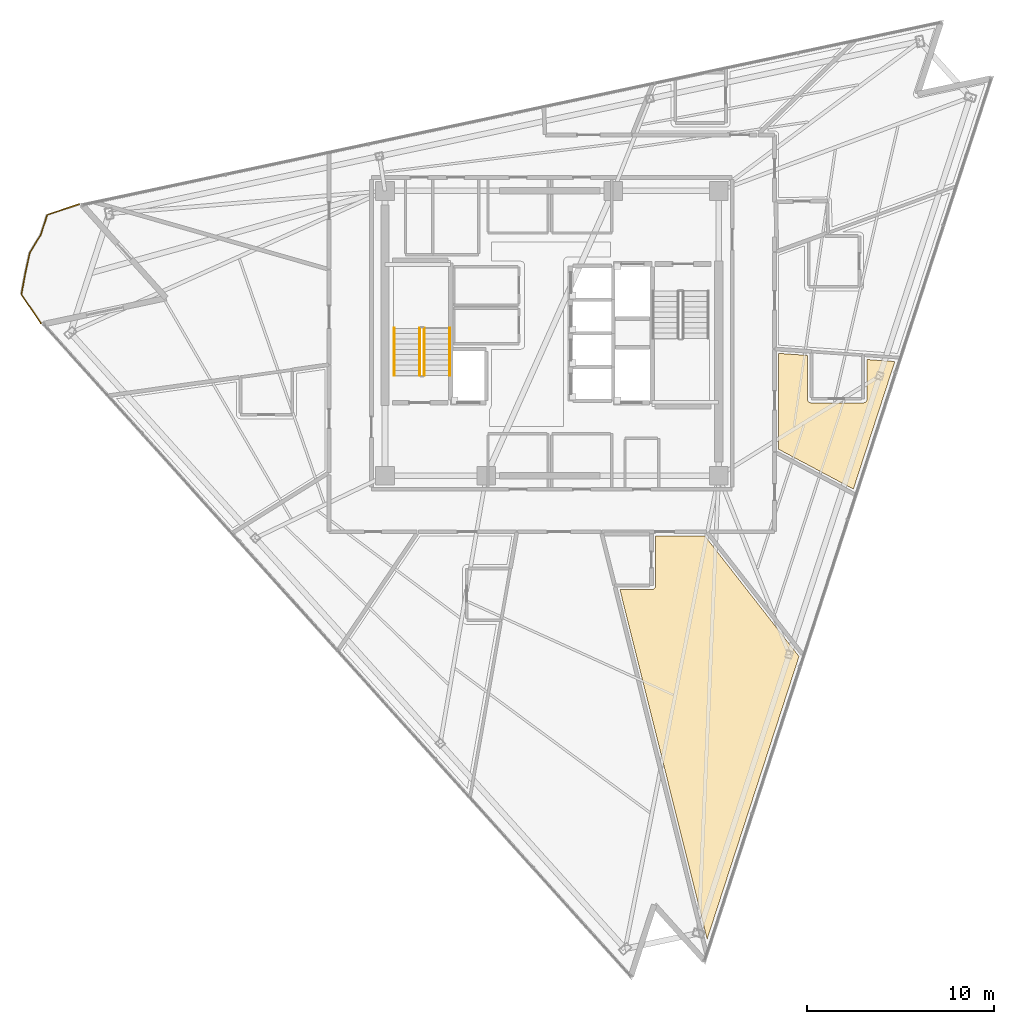
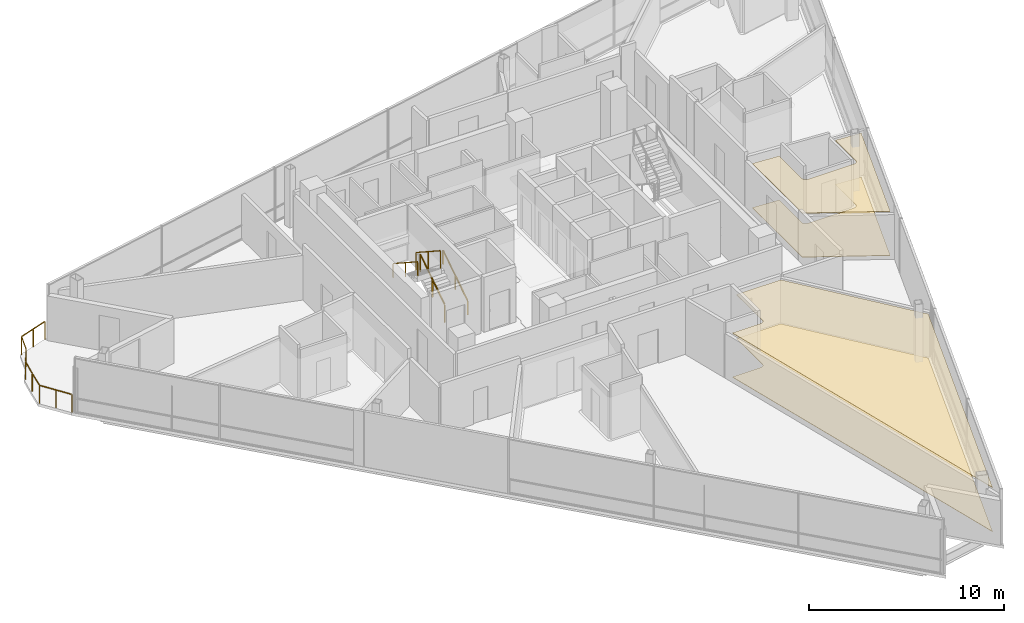
# One storey, part 15 of 17: 5 railings, 4 coverings.
"""IFC4 building model written with IfcOpenShell, lengths in metres."""

from ifc_helpers import new_model, si_unit, direction, frame, origin, origin_2d, place, context, subcontext, project, spatial, polyline, rectangle, outline, extrude, material, layer, layer_set, type_object, element, save


model = new_model("IFC4")

# Units and contexts
model_context = context("Model", 3, precision=1e-05, world=origin(), true_north=direction((0.0, 1.0)))
body_context = subcontext(model_context, "Body", "Model", "MODEL_VIEW")
ifc_project = project(units=[si_unit("LENGTHUNIT", "METRE"), si_unit("AREAUNIT", "SQUARE_METRE"), si_unit("VOLUMEUNIT", "CUBIC_METRE"), si_unit("PLANEANGLEUNIT", "RADIAN"), si_unit("MASSUNIT", "GRAM", prefix="KILO")], contexts=[model_context])

# Site, building, storey
site_placement = place(None, origin())
site = spatial("IfcSite", under=ifc_project, at=site_placement, CompositionType="ELEMENT")
building_placement = place(site_placement, origin())
building = spatial("IfcBuilding", under=site, at=building_placement, Name="Tharavind Bronze Gate", CompositionType="ELEMENT")
storey_placement = place(building_placement, frame((0.0, 0.0, 294.35009765625)))
storey = spatial("IfcBuildingStorey", under=building, at=storey_placement, Name="L76", CompositionType="ELEMENT", Elevation=294.35009765625)

# Coverings
ifc_material_1 = material(Name="Engineered Oak & Carpet Tile", Category="wood")
ifc_layer_1 = layer(ifc_material_1, 0.02490234375)
ifc_layer_set_1 = layer_set([ifc_layer_1], Name="Engineered Oak & Carpet Tile")
covering_type_1 = type_object("IfcCoveringType", Name="ENGINEERED TIMBER FLOORING", PredefinedType="FLOORING", material=ifc_layer_set_1)
covering_1_placement = place(storey_placement, origin())
element("IfcCovering", 1, at=covering_1_placement, inside=storey, type_object=covering_type_1, Name="L76-RM-10 floor finish", PredefinedType="FLOORING", context=body_context, shape_type="SweptSolid", body=[
    extrude(outline(polyline([(5.537841796875, -13.449951171875), (5.536865234375, -13.4716796875), (5.53369140625, -13.492919921875), (5.5283203125, -13.513916015625), (5.52099609375, -13.5341796875), (5.51171875, -13.5537109375), (5.500732421875, -13.572265625), (5.48779296875, -13.589599609375), (5.473388671875, -13.605712890625), (5.45751953125, -13.6201171875), (5.43994140625, -13.6328125), (5.42138671875, -13.64404296875), (5.402099609375, -13.6533203125), (5.381591796875, -13.660400390625), (5.360595703125, -13.665771484375), (5.33935546875, -13.6689453125), (5.31787109375, -13.669921875), (3.635009765625, -13.669921875), (8.283203125, -32.313232421875), (13.18359375, -17.231689453125), (8.15869140625, -10.800048828125), (5.537841796875, -10.800048828125), (5.537841796875, -13.449951171875)])), origin(), (0.0, 0.0, 1.0), 0.02490234375),
])
covering_2_placement = place(storey_placement, origin())
element("IfcCovering", 2, at=covering_2_placement, inside=storey, type_object=covering_type_1, Name="L76-RM-12 floor finish", PredefinedType="FLOORING", context=body_context, shape_type="SweptSolid", body=[
    extrude(outline(polyline([(12.10009765625, -6.1845703125), (16.084716796875, -8.30322265625), (18.29541015625, -1.5), (16.820068359375, -1.396728515625), (16.820068359375, -3.489013671875), (16.81884765625, -3.5107421875), (16.81591796875, -3.531982421875), (16.810546875, -3.552978515625), (16.80322265625, -3.5732421875), (16.7939453125, -3.5927734375), (16.782958984375, -3.611328125), (16.77001953125, -3.628662109375), (16.755615234375, -3.644775390625), (16.739501953125, -3.6591796875), (16.72216796875, -3.672119140625), (16.70361328125, -3.68310546875), (16.68408203125, -3.6923828125), (16.663818359375, -3.69970703125), (16.642822265625, -3.704833984375), (16.62158203125, -3.7080078125), (16.60009765625, -3.708984375), (13.85009765625, -3.708984375), (13.828369140625, -3.7080078125), (13.80712890625, -3.704833984375), (13.7861328125, -3.69970703125), (13.765869140625, -3.6923828125), (13.746337890625, -3.68310546875), (13.727783203125, -3.672119140625), (13.71044921875, -3.6591796875), (13.6943359375, -3.644775390625), (13.679931640625, -3.628662109375), (13.6669921875, -3.611328125), (13.656005859375, -3.5927734375), (13.646728515625, -3.5732421875), (13.639404296875, -3.552978515625), (13.63427734375, -3.531982421875), (13.631103515625, -3.5107421875), (13.6298828125, -3.489013671875), (13.6298828125, -1.173583984375), (12.10009765625, -1.066650390625), (12.10009765625, -6.1845703125)])), origin(), (0.0, 0.0, 1.0), 0.02490234375),
])
ifc_material_2 = material(Name="Acoustic Gypsum Board", Category="gypsum")
ifc_layer_2 = layer(ifc_material_2, 0.030029296875)
ifc_layer_set_2 = layer_set([ifc_layer_2], Name="Acoustic Gypsum Board")
covering_type_2 = type_object("IfcCoveringType", Name="GYPSUM SUSPENDED CEILING", PredefinedType="CEILING", material=ifc_layer_set_2)
covering_3_placement = place(storey_placement, frame((0.0, 0.0, 2.75)))
element("IfcCovering", 3, at=covering_3_placement, inside=storey, type_object=covering_type_2, Name="L76-RM-10 suspended ceiling", PredefinedType="CEILING", context=body_context, shape_type="SweptSolid", body=[
    extrude(outline(polyline([(5.537841796875, -13.449951171875), (5.536865234375, -13.4716796875), (5.53369140625, -13.492919921875), (5.5283203125, -13.513916015625), (5.52099609375, -13.5341796875), (5.51171875, -13.5537109375), (5.500732421875, -13.572265625), (5.48779296875, -13.589599609375), (5.473388671875, -13.605712890625), (5.45751953125, -13.6201171875), (5.43994140625, -13.6328125), (5.42138671875, -13.64404296875), (5.402099609375, -13.6533203125), (5.381591796875, -13.660400390625), (5.360595703125, -13.665771484375), (5.33935546875, -13.6689453125), (5.31787109375, -13.669921875), (3.635009765625, -13.669921875), (8.283203125, -32.313232421875), (13.18359375, -17.231689453125), (8.15869140625, -10.800048828125), (5.537841796875, -10.800048828125), (5.537841796875, -13.449951171875)])), origin(), (0.0, 0.0, 1.0), 0.034912109375),
])
covering_4_placement = place(storey_placement, frame((0.0, 0.0, 2.75)))
element("IfcCovering", 4, at=covering_4_placement, inside=storey, type_object=covering_type_2, Name="L76-RM-12 suspended ceiling", PredefinedType="CEILING", context=body_context, shape_type="SweptSolid", body=[
    extrude(outline(polyline([(12.10009765625, -6.1845703125), (16.084716796875, -8.30322265625), (18.29541015625, -1.5), (16.820068359375, -1.396728515625), (16.820068359375, -3.489013671875), (16.81884765625, -3.5107421875), (16.81591796875, -3.531982421875), (16.810546875, -3.552978515625), (16.80322265625, -3.5732421875), (16.7939453125, -3.5927734375), (16.782958984375, -3.611328125), (16.77001953125, -3.628662109375), (16.755615234375, -3.644775390625), (16.739501953125, -3.6591796875), (16.72216796875, -3.672119140625), (16.70361328125, -3.68310546875), (16.68408203125, -3.6923828125), (16.663818359375, -3.69970703125), (16.642822265625, -3.704833984375), (16.62158203125, -3.7080078125), (16.60009765625, -3.708984375), (13.85009765625, -3.708984375), (13.828369140625, -3.7080078125), (13.80712890625, -3.704833984375), (13.7861328125, -3.69970703125), (13.765869140625, -3.6923828125), (13.746337890625, -3.68310546875), (13.727783203125, -3.672119140625), (13.71044921875, -3.6591796875), (13.6943359375, -3.644775390625), (13.679931640625, -3.628662109375), (13.6669921875, -3.611328125), (13.656005859375, -3.5927734375), (13.646728515625, -3.5732421875), (13.639404296875, -3.552978515625), (13.63427734375, -3.531982421875), (13.631103515625, -3.5107421875), (13.6298828125, -3.489013671875), (13.6298828125, -1.173583984375), (12.10009765625, -1.066650390625), (12.10009765625, -6.1845703125)])), origin(), (0.0, 0.0, 1.0), 0.034912109375),
])

# Railings
ifc_material_3 = material(Name="Brushed Bronze Alloy", Category="metal")
railing_type_1 = type_object("IfcRailingType", Name="STAIR BRONZE HANDRAIL 900", PredefinedType="HANDRAIL", material=ifc_material_3)
railing_1_placement = place(storey_placement, frame((-5.449951171875, -2.25, 0.182373046875)))
element("IfcRailing", 5, at=railing_1_placement, inside=storey, type_object=railing_type_1, Name="L76 ST1 stair handrail 1", PredefinedType="HANDRAIL", context=body_context, shape_type="SweptSolid", body=[
    extrude(rectangle(XDim=0.048095703125, YDim=0.048095703125, at=origin_2d()), frame((0.0, 0.02685546875, 0.893310546875), z_axis=(0.0, 0.837749427056, 0.546054848405), x_axis=(-1.0, 0.0, 0.0)), (0.0, 0.0, 1.0), 2.944091796875),
    extrude(rectangle(XDim=0.0400390625, YDim=0.0400390625, at=origin_2d()), origin(), (0.0, 0.0, 1.0), 0.847900390625),
    extrude(rectangle(XDim=0.0400390625, YDim=0.0400390625, at=origin_2d()), frame((0.0, 1.260009765625, 0.8212890625)), (0.0, 0.0, 1.0), 0.847900390625),
    extrude(rectangle(XDim=0.0400390625, YDim=0.0400390625, at=origin_2d()), frame((0.0, 2.52001953125, 1.642578125)), (0.0, 0.0, 1.0), 0.847900390625),
])
railing_2_placement = place(storey_placement, frame((-8.39990234375, 0.27001953125, 2.00732421875)))
element("IfcRailing", 6, at=railing_2_placement, inside=storey, type_object=railing_type_1, Name="L76 ST1 stair handrail 2", PredefinedType="HANDRAIL", context=body_context, shape_type="SweptSolid", body=[
    extrude(rectangle(XDim=0.048095703125, YDim=0.048095703125, at=origin_2d()), frame((0.0, -0.02685546875, 0.893310546875), z_axis=(0.0, -0.837749427056, 0.546054848405), x_axis=(1.0, 0.0, 0.0)), (0.0, 0.0, 1.0), 2.944091796875),
    extrude(rectangle(XDim=0.0400390625, YDim=0.0400390625, at=origin_2d()), origin(), (0.0, 0.0, 1.0), 0.847900390625),
    extrude(rectangle(XDim=0.0400390625, YDim=0.0400390625, at=origin_2d()), frame((0.0, -1.260009765625, 0.8212890625)), (0.0, 0.0, 1.0), 0.847900390625),
    extrude(rectangle(XDim=0.0400390625, YDim=0.0400390625, at=origin_2d()), frame((0.0, -2.52001953125, 1.642578125)), (0.0, 0.0, 1.0), 0.847900390625),
])
railing_type_2 = type_object("IfcRailingType", Name="STAIR WELL GUARD RAILING 1120", PredefinedType="GUARDRAIL", material=ifc_material_3)
railing_3_placement = place(storey_placement, frame((-6.800048828125, -2.25, 0.182373046875)))
element("IfcRailing", 7, at=railing_3_placement, inside=storey, type_object=railing_type_2, Name="L76 ST1 stair guard 1", PredefinedType="GUARDRAIL", context=body_context, shape_type="SweptSolid", body=[
    extrude(rectangle(XDim=0.048095703125, YDim=0.048095703125, at=origin_2d()), frame((0.0, 0.02685546875, 1.113525390625), z_axis=(0.0, 0.837749427056, 0.546054848405), x_axis=(-1.0, 0.0, 0.0)), (0.0, 0.0, 1.0), 2.944091796875),
    extrude(rectangle(XDim=0.0400390625, YDim=0.0400390625, at=origin_2d()), origin(), (0.0, 0.0, 1.0), 1.068115234375),
    extrude(rectangle(XDim=0.0400390625, YDim=0.0400390625, at=origin_2d()), frame((0.0, 1.260009765625, 0.8212890625)), (0.0, 0.0, 1.0), 1.068115234375),
    extrude(rectangle(XDim=0.0400390625, YDim=0.0400390625, at=origin_2d()), frame((0.0, 2.52001953125, 1.642578125)), (0.0, 0.0, 1.0), 1.068115234375),
])
railing_4_placement = place(storey_placement, frame((-7.050048828125, 0.27001953125, 2.00732421875)))
element("IfcRailing", 8, at=railing_4_placement, inside=storey, type_object=railing_type_2, Name="L76 ST1 stair guard 3", PredefinedType="GUARDRAIL", context=body_context, shape_type="SweptSolid", body=[
    extrude(rectangle(XDim=0.048095703125, YDim=0.048095703125, at=origin_2d()), frame((0.0, -0.02685546875, 1.113525390625), z_axis=(0.0, -0.837749427056, 0.546054848405), x_axis=(1.0, 0.0, 0.0)), (0.0, 0.0, 1.0), 2.944091796875),
    extrude(rectangle(XDim=0.0400390625, YDim=0.0400390625, at=origin_2d()), origin(), (0.0, 0.0, 1.0), 1.068115234375),
    extrude(rectangle(XDim=0.0400390625, YDim=0.0400390625, at=origin_2d()), frame((0.0, -1.260009765625, 0.8212890625)), (0.0, 0.0, 1.0), 1.068115234375),
    extrude(rectangle(XDim=0.0400390625, YDim=0.0400390625, at=origin_2d()), frame((0.0, -2.52001953125, 1.642578125)), (0.0, 0.0, 1.0), 1.068115234375),
])
ifc_material_4 = material(Name="Bronze Cap & Laminated Glass", Category="glass")
railing_type_3 = type_object("IfcRailingType", Name="TERRACE GLASS GUARD RAILING 1150", PredefinedType="GUARDRAIL", material=ifc_material_4)
railing_5_placement = place(storey_placement, frame((-27.257568359375, 0.544677734375, 0.0)))
element("IfcRailing", 9, at=railing_5_placement, inside=storey, type_object=railing_type_3, Name="L76 tree balcony guard railing", PredefinedType="GUARDRAIL", context=body_context, shape_type="SweptSolid", body=[
    extrude(rectangle(XDim=0.048095703125, YDim=0.048095703125, at=origin_2d()), frame((-0.017822265625, 0.026611328125, 1.1259765625), z_axis=(-0.558006967266, 0.829836263658, 0.0), x_axis=(-0.829836263658, -0.558006967266, 0.0)), (0.0, 0.0, 1.0), 1.790771484375),
    extrude(rectangle(XDim=0.048095703125, YDim=0.048095703125, at=origin_2d()), frame((-1.029052734375, 1.570556640625, 1.1259765625), z_axis=(0.181084966823, 0.983467454871, 0.0), x_axis=(-0.983467454871, 0.181084966823, 0.0)), (0.0, 0.0, 1.0), 1.05908203125),
    extrude(rectangle(XDim=0.048095703125, YDim=0.048095703125, at=origin_2d()), frame((-0.82470703125, 2.6748046875, 1.1259765625), z_axis=(0.212076358892, 0.977253098229, 0.0), x_axis=(-0.977253098229, 0.212076358892, 0.0)), (0.0, 0.0, 1.0), 1.054931640625),
    extrude(rectangle(XDim=0.048095703125, YDim=0.048095703125, at=origin_2d()), frame((-0.57763671875, 3.764404296875, 1.1259765625), z_axis=(0.517193856548, 0.855868281191, 0.0), x_axis=(-0.855868281191, 0.517193856548, 0.0)), (0.0, 0.0, 1.0), 1.079345703125),
    extrude(rectangle(XDim=0.048095703125, YDim=0.048095703125, at=origin_2d()), frame((0.007080078125, 4.74609375, 1.1259765625), z_axis=(0.309180276792, 0.951003447125, 0.0), x_axis=(-0.951003447125, 0.309180276792, 0.0)), (0.0, 0.0, 1.0), 1.04931640625),
    extrude(rectangle(XDim=0.048095703125, YDim=0.048095703125, at=origin_2d()), frame((0.37158203125, 5.78466796875, 1.1259765625), z_axis=(0.947982555564, 0.31832228063, 0.0), x_axis=(-0.31832228063, 0.947982555564, 0.0)), (0.0, 0.0, 1.0), 1.753662109375),
    extrude(rectangle(XDim=0.0400390625, YDim=0.0400390625, at=origin_2d()), origin(), (0.0, 0.0, 1.0), 1.097900390625),
    extrude(rectangle(XDim=0.0400390625, YDim=0.0400390625, at=origin_2d()), frame((-0.517578125, 0.76953125, 0.0)), (0.0, 0.0, 1.0), 1.097900390625),
    extrude(rectangle(XDim=0.0400390625, YDim=0.0400390625, at=origin_2d()), frame((-1.034912109375, 1.5390625, 0.0)), (0.0, 0.0, 1.0), 1.097900390625),
    extrude(rectangle(XDim=0.0400390625, YDim=0.0400390625, at=origin_2d()), frame((-0.83154296875, 2.6435546875, 0.0)), (0.0, 0.0, 1.0), 1.097900390625),
    extrude(rectangle(XDim=0.0400390625, YDim=0.0400390625, at=origin_2d()), frame((-0.59423828125, 3.737060546875, 0.0)), (0.0, 0.0, 1.0), 1.097900390625),
    extrude(rectangle(XDim=0.0400390625, YDim=0.0400390625, at=origin_2d()), frame((-0.0029296875, 4.715576171875, 0.0)), (0.0, 0.0, 1.0), 1.097900390625),
    extrude(rectangle(XDim=0.0400390625, YDim=0.0400390625, at=origin_2d()), frame((0.34130859375, 5.7744140625, 0.0)), (0.0, 0.0, 1.0), 1.097900390625),
    extrude(rectangle(XDim=0.0400390625, YDim=0.0400390625, at=origin_2d()), frame((1.202880859375, 6.063720703125, 0.0)), (0.0, 0.0, 1.0), 1.097900390625),
    extrude(rectangle(XDim=0.0400390625, YDim=0.0400390625, at=origin_2d()), frame((2.064453125, 6.35302734375, 0.0)), (0.0, 0.0, 1.0), 1.097900390625),
])

save(model, "model.ifc")
